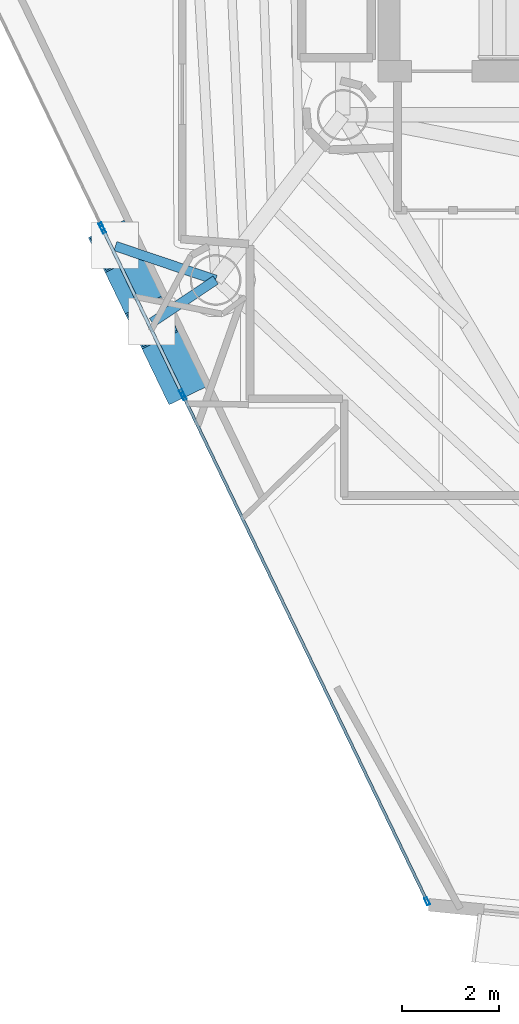
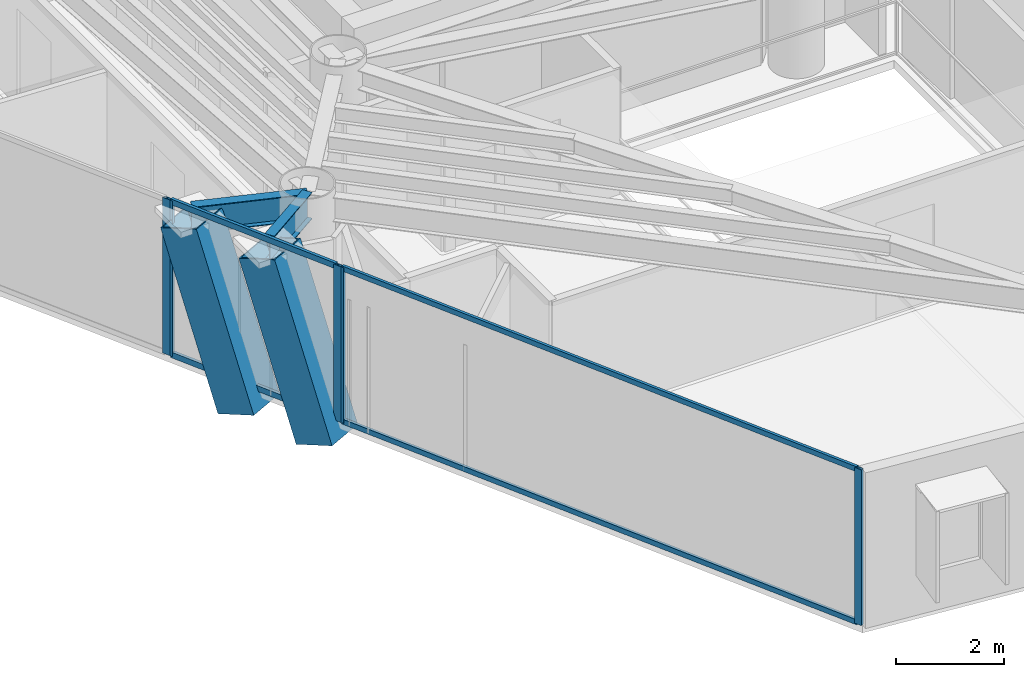
# One storey, part 2 of 20: 11 members, 2 beams, 3 elements without a shape of their own.
"""IFC4 building model written with IfcOpenShell, lengths in metres."""

from ifc_helpers import new_model, si_unit, direction, frame, origin, origin_2d, place, context, subcontext, project, spatial, hollow_rectangle, i_section, extrude, material, layer, layer_set, material_profile, profile_set, type_object, element, aggregate, save


model = new_model("IFC4")

# Units and contexts
model_context = context("Model", 3, precision=1e-05, world=origin(), true_north=direction((0.0, 1.0)))
body_context = subcontext(model_context, "Body", "Model", "MODEL_VIEW")
ifc_project = project(units=[si_unit("LENGTHUNIT", "METRE"), si_unit("AREAUNIT", "SQUARE_METRE"), si_unit("VOLUMEUNIT", "CUBIC_METRE"), si_unit("PLANEANGLEUNIT", "RADIAN"), si_unit("MASSUNIT", "GRAM", prefix="KILO")], contexts=[model_context])

# Site, building, storey
site_placement = place(None, origin())
site = spatial("IfcSite", under=ifc_project, at=site_placement, CompositionType="ELEMENT")
building_placement = place(site_placement, origin())
building = spatial("IfcBuilding", under=site, at=building_placement, Name="Qianvela Tower", CompositionType="ELEMENT")
storey_placement = place(building_placement, frame((0.0, 0.0, 257.5)))
storey = spatial("IfcBuildingStorey", under=building, at=storey_placement, Name="L66", CompositionType="ELEMENT", Elevation=257.5)

# Beams
ifc_material_1 = material(Name="Steel Q355B", Category="steel")
ifc_material_profile_1 = material_profile(ifc_material_1, i_section(OverallWidth=0.199951171875, OverallDepth=0.60009765625, WebThickness=0.010986328125, FlangeThickness=0.01708984375, at=origin_2d()), Name="HN600x200x11x17")
ifc_profile_set_1 = profile_set([ifc_material_profile_1], Name="Steel Q355B")
beam_type = type_object("IfcBeamType", Name="BM-HN600-GIRD", PredefinedType="BEAM", material=ifc_profile_set_1)
beam_1_placement = place(storey_placement, frame((25.971923828125, 20.43701171875, 3.218017578125), z_axis=(-0.947517607156, 0.31970358792, 0.0), x_axis=(-0.31970358792, -0.947517607156, 0.0)))
element("IfcBeam", 1, at=beam_1_placement, inside=storey, type_object=beam_type, Name="L66 Mega-Brace Column Tie Bracket F2-1", PredefinedType="BEAM", context=body_context, shape_type="SweptSolid", body=[
    extrude(i_section(OverallWidth=0.199951171875, OverallDepth=0.60009765625, WebThickness=0.010986328125, FlangeThickness=0.01708984375, at=origin_2d()), origin(), (0.0, 0.0, 1.0), 2.190185546875),
])
beam_2_placement = place(storey_placement, frame((25.971923828125, 20.43701171875, 3.218017578125), z_axis=(-0.831312622928, -0.555805112392, 0.0), x_axis=(0.555805112392, -0.831312622928, 0.0)))
element("IfcBeam", 2, at=beam_2_placement, inside=storey, type_object=beam_type, Name="L66 Mega-Brace Column Tie Bracket F2-2", PredefinedType="BEAM", context=body_context, shape_type="SweptSolid", body=[
    extrude(i_section(OverallWidth=0.199951171875, OverallDepth=0.60009765625, WebThickness=0.010986328125, FlangeThickness=0.01708984375, at=origin_2d()), origin(), (0.0, 0.0, 1.0), 1.580078125),
])

# Curtain wall, members
ifc_material_2 = material(Name="Anodised Architectural Aluminium and Insulated Spandrel Panel", Category="aluminium")
ifc_layer_1 = layer(ifc_material_2, 0.179931640625)
ifc_layer_set_1 = layer_set([ifc_layer_1], Name="Anodised Architectural Aluminium and Insulated Spandrel Panel")
curtain_wall_type_1 = type_object("IfcCurtainWallType", Name="CW-BRACEBAY", PredefinedType="USERDEFINED", material=ifc_layer_set_1)
curtain_wall_1_placement = place(storey_placement, origin())
curtain_wall_1 = element("IfcCurtainWall", 3, at=curtain_wall_1_placement, inside=storey, type_object=curtain_wall_type_1, Name="L66 CW-BRACEBAY Curtain Wall 04B", ObjectType="CURTAIN_WALL_SYSTEM", PredefinedType="USERDEFINED")
ifc_material_3 = material(Name="Anodised Architectural Aluminium 6063-T6", Category="aluminium")
ifc_material_profile_2 = material_profile(ifc_material_3, hollow_rectangle(XDim=0.06494140625, YDim=0.159912109375, WallThickness=0.0048828125, at=origin_2d()), Name="ALU-MULL-65x160")
ifc_profile_set_2 = profile_set([ifc_material_profile_2], Name="Anodised Architectural Aluminium 6063-T6")
member_type_1 = type_object("IfcMemberType", Name="CW-BRACEBAY-MULL", PredefinedType="MULLION", material=ifc_profile_set_2)
member_1_placement = place(storey_placement, frame((23.64111328125, 21.48291015625, 0.0), z_axis=(0.0, 0.0, 1.0), x_axis=(0.900625999156, 0.43459499496, 0.0)))
member_1 = element("IfcMember", 4, at=member_1_placement, type_object=member_type_1, Name="CW-9 mullion 1", PredefinedType="MULLION", context=body_context, shape_type="SweptSolid", body=[
    extrude(hollow_rectangle(XDim=0.06494140625, YDim=0.159912109375, WallThickness=0.0048828125, at=origin_2d()), origin(), (0.0, 0.0, 1.0), 3.52001953125),
])
member_2_placement = place(storey_placement, frame((25.27734375, 18.092041015625, 0.0), z_axis=(0.0, 0.0, 1.0), x_axis=(0.900625999156, 0.43459499496, 0.0)))
member_2 = element("IfcMember", 5, at=member_2_placement, type_object=member_type_1, Name="CW-9 mullion 2", PredefinedType="MULLION", context=body_context, shape_type="SweptSolid", body=[
    extrude(hollow_rectangle(XDim=0.06494140625, YDim=0.159912109375, WallThickness=0.0048828125, at=origin_2d()), origin(), (0.0, 0.0, 1.0), 3.52001953125),
])
ifc_material_4 = material(Name="Anodised Architectural Aluminium 6063-T6", Category="aluminium")
ifc_material_profile_3 = material_profile(ifc_material_4, hollow_rectangle(XDim=0.06494140625, YDim=0.1298828125, WallThickness=0.00439453125, at=origin_2d()), Name="ALU-TRAN-65x130")
ifc_profile_set_3 = profile_set([ifc_material_profile_3], Name="Anodised Architectural Aluminium 6063-T6")
member_type_2 = type_object("IfcMemberType", Name="CW-BRACEBAY-TRAN", PredefinedType="USERDEFINED", material=ifc_profile_set_3)
member_3_placement = place(storey_placement, frame((23.6552734375, 21.45361328125, 0.032470703125), z_axis=(0.434579290678, -0.900633577052, 0.0), x_axis=(0.900633577052, 0.434579290678, 0.0)))
member_3 = element("IfcMember", 6, at=member_3_placement, type_object=member_type_2, Name="CW-9 transom 1.1", ObjectType="TRANSOM", PredefinedType="USERDEFINED", context=body_context, shape_type="SweptSolid", body=[
    extrude(hollow_rectangle(XDim=0.06494140625, YDim=0.1298828125, WallThickness=0.00439453125, at=origin_2d()), origin(), (0.0, 0.0, 1.0), 3.699951171875),
])
member_4_placement = place(storey_placement, frame((23.6552734375, 21.45361328125, 3.487548828125), z_axis=(0.434579290678, -0.900633577052, 0.0), x_axis=(0.900633577052, 0.434579290678, 0.0)))
member_4 = element("IfcMember", 7, at=member_4_placement, type_object=member_type_2, Name="CW-9 transom 1.2", ObjectType="TRANSOM", PredefinedType="USERDEFINED", context=body_context, shape_type="SweptSolid", body=[
    extrude(hollow_rectangle(XDim=0.06494140625, YDim=0.1298828125, WallThickness=0.00439453125, at=origin_2d()), origin(), (0.0, 0.0, 1.0), 3.699951171875),
])
aggregate(curtain_wall_1, [member_1, member_2, member_3, member_4])

# Curtain wall, member
ifc_material_5 = material(Name="Anodised Architectural Aluminium and Low-E Glass", Category="aluminium")
ifc_layer_2 = layer(ifc_material_5, 0.159912109375)
ifc_layer_set_2 = layer_set([ifc_layer_2], Name="Anodised Architectural Aluminium and Low-E Glass")
curtain_wall_type_2 = type_object("IfcCurtainWallType", Name="CW-COLIV-Z56", PredefinedType="USERDEFINED", material=ifc_layer_set_2)
curtain_wall_2_placement = place(storey_placement, origin())
curtain_wall_2 = element("IfcCurtainWall", 8, at=curtain_wall_2_placement, inside=storey, type_object=curtain_wall_type_2, Name="L66 CW-COLIV-Z56 Curtain Wall 04A", ObjectType="CURTAIN_WALL_SYSTEM", PredefinedType="USERDEFINED")
ifc_material_6 = material(Name="Anodised Architectural Aluminium 6063-T6", Category="aluminium")
ifc_material_profile_4 = material_profile(ifc_material_6, hollow_rectangle(XDim=0.06494140625, YDim=0.159912109375, WallThickness=0.0048828125, at=origin_2d()), Name="ALU-MULL-65x160")
ifc_profile_set_4 = profile_set([ifc_material_profile_4], Name="Anodised Architectural Aluminium 6063-T6")
member_type_3 = type_object("IfcMemberType", Name="CW-COLIV-Z56-MULL", PredefinedType="MULLION", material=ifc_profile_set_4)
member_5_placement = place(storey_placement, frame((23.61279296875, 21.541259765625, 0.0), z_axis=(0.0, 0.0, 1.0), x_axis=(0.900620181938, 0.434607049973, 0.0)))
member_5 = element("IfcMember", 9, at=member_5_placement, type_object=member_type_3, Name="CW-5 mullion 2", PredefinedType="MULLION", context=body_context, shape_type="SweptSolid", body=[
    extrude(hollow_rectangle(XDim=0.06494140625, YDim=0.159912109375, WallThickness=0.0048828125, at=origin_2d()), origin(), (0.0, 0.0, 1.0), 3.52001953125),
])
aggregate(curtain_wall_2, [member_5])

# Curtain wall, members
curtain_wall_3_placement = place(storey_placement, origin())
curtain_wall_3 = element("IfcCurtainWall", 10, at=curtain_wall_3_placement, inside=storey, type_object=curtain_wall_type_2, Name="L66 CW-COLIV-Z56 Curtain Wall 04C", ObjectType="CURTAIN_WALL_SYSTEM", PredefinedType="USERDEFINED")
member_6_placement = place(storey_placement, frame((25.3056640625, 18.033447265625, 0.0), z_axis=(0.0, 0.0, 1.0), x_axis=(0.900619447548, 0.434608571818, 0.0)))
member_6 = element("IfcMember", 11, at=member_6_placement, type_object=member_type_3, Name="CW-5 mullion 1", PredefinedType="MULLION", context=body_context, shape_type="SweptSolid", body=[
    extrude(hollow_rectangle(XDim=0.06494140625, YDim=0.159912109375, WallThickness=0.0048828125, at=origin_2d()), origin(), (0.0, 0.0, 1.0), 3.52001953125),
])
member_7_placement = place(storey_placement, frame((30.346923828125, 7.58642578125, 0.0), z_axis=(0.0, 0.0, 1.0), x_axis=(0.900619447548, 0.434608571818, 0.0)))
member_7 = element("IfcMember", 12, at=member_7_placement, type_object=member_type_3, Name="CW-5 mullion 2", PredefinedType="MULLION", context=body_context, shape_type="SweptSolid", body=[
    extrude(hollow_rectangle(XDim=0.06494140625, YDim=0.159912109375, WallThickness=0.0048828125, at=origin_2d()), origin(), (0.0, 0.0, 1.0), 3.52001953125),
])
ifc_material_7 = material(Name="Anodised Architectural Aluminium 6063-T6", Category="aluminium")
ifc_material_profile_5 = material_profile(ifc_material_7, hollow_rectangle(XDim=0.06005859375, YDim=0.114990234375, WallThickness=0.00390625, at=origin_2d()), Name="ALU-TRAN-60x115")
ifc_profile_set_5 = profile_set([ifc_material_profile_5], Name="Anodised Architectural Aluminium 6063-T6")
member_type_4 = type_object("IfcMemberType", Name="CW-COLIV-Z56-TRAN", PredefinedType="USERDEFINED", material=ifc_profile_set_5)
member_8_placement = place(storey_placement, frame((25.31982421875, 18.004150390625, 0.030029296875), z_axis=(0.434596939522, -0.900625060809, 0.0), x_axis=(0.900625060809, 0.434596939522, 0.0)))
member_8 = element("IfcMember", 13, at=member_8_placement, type_object=member_type_4, Name="CW-5 transom 1.1", ObjectType="TRANSOM", PredefinedType="USERDEFINED", context=body_context, shape_type="SweptSolid", body=[
    extrude(hollow_rectangle(XDim=0.06005859375, YDim=0.114990234375, WallThickness=0.00390625, at=origin_2d()), origin(), (0.0, 0.0, 1.0), 11.53466796875),
])
member_9_placement = place(storey_placement, frame((25.31982421875, 18.004150390625, 3.489990234375), z_axis=(0.434596939522, -0.900625060809, 0.0), x_axis=(0.900625060809, 0.434596939522, 0.0)))
member_9 = element("IfcMember", 14, at=member_9_placement, type_object=member_type_4, Name="CW-5 transom 1.2", ObjectType="TRANSOM", PredefinedType="USERDEFINED", context=body_context, shape_type="SweptSolid", body=[
    extrude(hollow_rectangle(XDim=0.06005859375, YDim=0.114990234375, WallThickness=0.00390625, at=origin_2d()), origin(), (0.0, 0.0, 1.0), 11.53466796875),
])
aggregate(curtain_wall_3, [member_6, member_7, member_8, member_9])

# Members
ifc_material_8 = material(Name="Steel Q420GJC", Category="steel")
ifc_material_profile_6 = material_profile(ifc_material_8, hollow_rectangle(XDim=0.85009765625, YDim=0.85009765625, WallThickness=0.031982421875, at=origin_2d()), Name="MBOX-850x850x32")
ifc_profile_set_6 = profile_set([ifc_material_profile_6], Name="Steel Q420GJC")
member_type_5 = type_object("IfcMemberType", Name="MBR-MBRACE-850", PredefinedType="BRACE", material=ifc_profile_set_6)
member_10_placement = place(storey_placement, frame((24.455322265625, 19.9794921875, -0.48193359375), z_axis=(-0.142611818346, 0.295570473164, 0.944616305524), x_axis=(-0.900643924918, -0.434557844836, 0.0)))
element("IfcMember", 15, at=member_10_placement, inside=storey, type_object=member_type_5, Name="L66 Tier 11 Exterior Mega-Brace F2A", PredefinedType="BRACE", context=body_context, shape_type="SweptSolid", body=[
    extrude(hollow_rectangle(XDim=0.85009765625, YDim=0.85009765625, WallThickness=0.031982421875, at=origin_2d()), origin(), (0.0, 0.0, 1.0), 3.9169921875),
])
member_11_placement = place(storey_placement, frame((25.216796875, 18.4013671875, -0.48193359375), z_axis=(-0.142553380931, 0.295516212939, 0.94464210232), x_axis=(-0.900682399649, -0.434478094916, 0.0)))
element("IfcMember", 16, at=member_11_placement, inside=storey, type_object=member_type_5, Name="L66 Tier 11 Exterior Mega-Brace F2B", PredefinedType="BRACE", context=body_context, shape_type="SweptSolid", body=[
    extrude(hollow_rectangle(XDim=0.85009765625, YDim=0.85009765625, WallThickness=0.031982421875, at=origin_2d()), origin(), (0.0, 0.0, 1.0), 3.916748046875),
])

save(model, "model.ifc")
